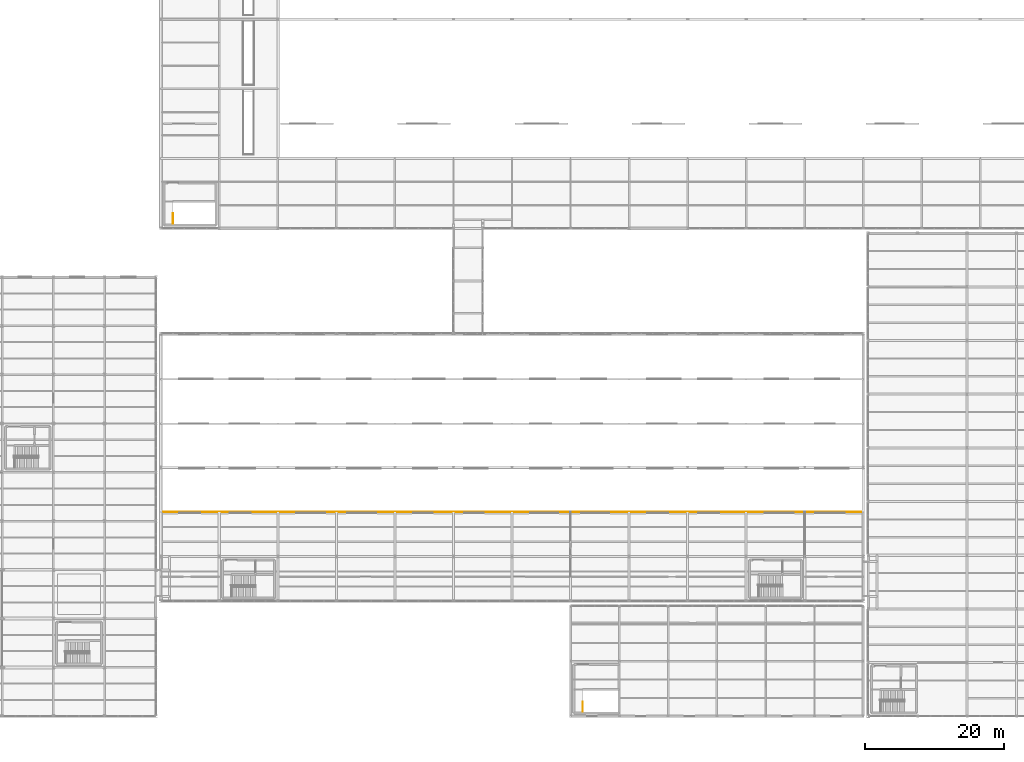
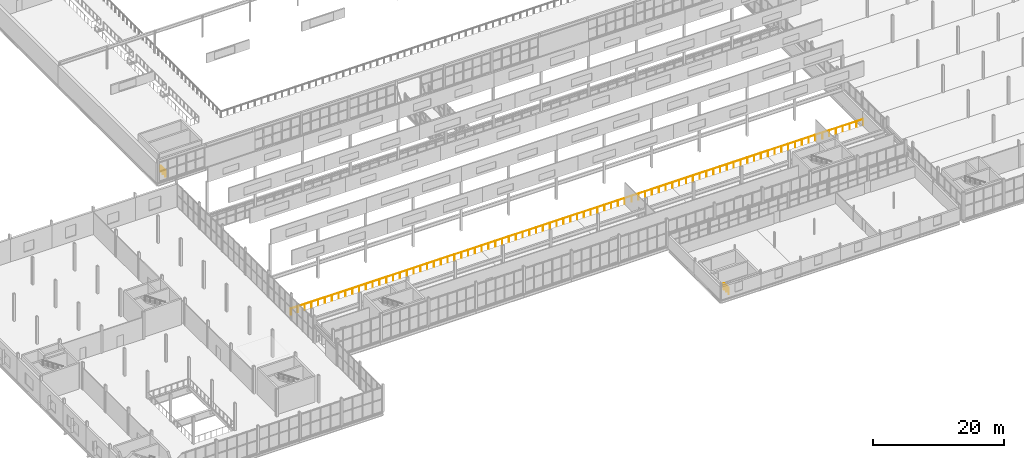
# One storey, part 214 of 218: 3 railings.
"""IFC4 building model written with IfcOpenShell, lengths in metres."""

from ifc_helpers import new_model, si_unit, direction, frame, origin, origin_2d, place, context, subcontext, project, spatial, circle, extrude, material, type_object, element, save


model = new_model("IFC4")

# Units and contexts
model_context = context("Model", 3, precision=1e-05, world=origin(), true_north=direction((0.0, 1.0)))
body_context = subcontext(model_context, "Body", "Model", "MODEL_VIEW")
ifc_project = project(units=[si_unit("LENGTHUNIT", "METRE"), si_unit("AREAUNIT", "SQUARE_METRE"), si_unit("VOLUMEUNIT", "CUBIC_METRE"), si_unit("PLANEANGLEUNIT", "RADIAN"), si_unit("MASSUNIT", "GRAM", prefix="KILO")], contexts=[model_context])

# Site, building, storey
site_placement = place(None, origin())
site = spatial("IfcSite", under=ifc_project, at=site_placement, CompositionType="ELEMENT")
building_placement = place(site_placement, origin())
building = spatial("IfcBuilding", under=site, at=building_placement, Name="Kazenagashi Tramway Depot", CompositionType="ELEMENT")
storey_placement = place(building_placement, frame((0.0, 0.0, 6.0)))
storey = spatial("IfcBuildingStorey", under=building, at=storey_placement, Name="L02", CompositionType="ELEMENT", Elevation=6.0)

# Railings
ifc_material = material(Name="Galvanised Painted Steel Balustrade", Category="steel")
railing_type = type_object("IfcRailingType", Name="GR-01", PredefinedType="GUARDRAIL", material=ifc_material)
railing_1_placement = place(storey_placement, frame((46.56, 70.67, 0.0)))
element("IfcRailing", 1, at=railing_1_placement, inside=storey, type_object=railing_type, Name="Stairwell ST-27 Arrival Guardrail", PredefinedType="GUARDRAIL", context=body_context, shape_type="SweptSolid", body=[
    extrude(circle(Radius=0.024, at=origin_2d()), frame((0.0, 0.0, 1.156), z_axis=(0.0, 1.0, 0.0), x_axis=(-1.0, 0.0, 0.0)), (0.0, 0.0, 1.0), 1.45),
    extrude(circle(Radius=0.021, at=origin_2d()), origin(), (0.0, 0.0, 1.0), 1.132),
    extrude(circle(Radius=0.021, at=origin_2d()), frame((0.0, 0.725, 0.0)), (0.0, 0.0, 1.0), 1.132),
    extrude(circle(Radius=0.021, at=origin_2d()), frame((0.0, 1.45, 0.0)), (0.0, 0.0, 1.0), 1.132),
])
railing_2_placement = place(storey_placement, frame((105.36, 0.67, 0.0)))
element("IfcRailing", 2, at=railing_2_placement, inside=storey, type_object=railing_type, Name="Stairwell ST-28 Arrival Guardrail", PredefinedType="GUARDRAIL", context=body_context, shape_type="SweptSolid", body=[
    extrude(circle(Radius=0.024, at=origin_2d()), frame((0.0, 0.0, 1.156), z_axis=(0.0, 1.0, 0.0), x_axis=(-1.0, 0.0, 0.0)), (0.0, 0.0, 1.0), 1.4),
    extrude(circle(Radius=0.021, at=origin_2d()), origin(), (0.0, 0.0, 1.0), 1.132),
    extrude(circle(Radius=0.021, at=origin_2d()), frame((0.0, 0.7, 0.0)), (0.0, 0.0, 1.0), 1.132),
    extrude(circle(Radius=0.021, at=origin_2d()), frame((0.0, 1.4, 0.0)), (0.0, 0.0, 1.0), 1.132),
])
railing_3_placement = place(storey_placement, frame((44.8, 29.3, 0.0)))
element("IfcRailing", 3, at=railing_3_placement, inside=storey, type_object=railing_type, Name="Overhaul Component Mezzanine Guardrail", PredefinedType="GUARDRAIL", context=body_context, shape_type="SweptSolid", body=[
    extrude(circle(Radius=0.024, at=origin_2d()), frame((0.0, 0.0, 1.126), z_axis=(1.0, 0.0, 0.0), x_axis=(0.0, 1.0, 0.0)), (0.0, 0.0, 1.0), 100.8),
    extrude(circle(Radius=0.021, at=origin_2d()), origin(), (0.0, 0.0, 1.0), 1.102),
    extrude(circle(Radius=0.021, at=origin_2d()), frame((1.2, 0.0, 0.0)), (0.0, 0.0, 1.0), 1.102),
    extrude(circle(Radius=0.021, at=origin_2d()), frame((2.4, 0.0, 0.0)), (0.0, 0.0, 1.0), 1.102),
    extrude(circle(Radius=0.021, at=origin_2d()), frame((3.6, 0.0, 0.0)), (0.0, 0.0, 1.0), 1.102),
    extrude(circle(Radius=0.021, at=origin_2d()), frame((4.8, 0.0, 0.0)), (0.0, 0.0, 1.0), 1.102),
    extrude(circle(Radius=0.021, at=origin_2d()), frame((6.0, 0.0, 0.0)), (0.0, 0.0, 1.0), 1.102),
    extrude(circle(Radius=0.021, at=origin_2d()), frame((7.2, 0.0, 0.0)), (0.0, 0.0, 1.0), 1.102),
    extrude(circle(Radius=0.021, at=origin_2d()), frame((8.4, 0.0, 0.0)), (0.0, 0.0, 1.0), 1.102),
    extrude(circle(Radius=0.021, at=origin_2d()), frame((9.6, 0.0, 0.0)), (0.0, 0.0, 1.0), 1.102),
    extrude(circle(Radius=0.021, at=origin_2d()), frame((10.8, 0.0, 0.0)), (0.0, 0.0, 1.0), 1.102),
    extrude(circle(Radius=0.021, at=origin_2d()), frame((12.0, 0.0, 0.0)), (0.0, 0.0, 1.0), 1.102),
    extrude(circle(Radius=0.021, at=origin_2d()), frame((13.2, 0.0, 0.0)), (0.0, 0.0, 1.0), 1.102),
    extrude(circle(Radius=0.021, at=origin_2d()), frame((14.4, 0.0, 0.0)), (0.0, 0.0, 1.0), 1.102),
    extrude(circle(Radius=0.021, at=origin_2d()), frame((15.6, 0.0, 0.0)), (0.0, 0.0, 1.0), 1.102),
    extrude(circle(Radius=0.021, at=origin_2d()), frame((16.8, 0.0, 0.0)), (0.0, 0.0, 1.0), 1.102),
    extrude(circle(Radius=0.021, at=origin_2d()), frame((18.0, 0.0, 0.0)), (0.0, 0.0, 1.0), 1.102),
    extrude(circle(Radius=0.021, at=origin_2d()), frame((19.2, 0.0, 0.0)), (0.0, 0.0, 1.0), 1.102),
    extrude(circle(Radius=0.021, at=origin_2d()), frame((20.4, 0.0, 0.0)), (0.0, 0.0, 1.0), 1.102),
    extrude(circle(Radius=0.021, at=origin_2d()), frame((21.6, 0.0, 0.0)), (0.0, 0.0, 1.0), 1.102),
    extrude(circle(Radius=0.021, at=origin_2d()), frame((22.8, 0.0, 0.0)), (0.0, 0.0, 1.0), 1.102),
    extrude(circle(Radius=0.021, at=origin_2d()), frame((24.0, 0.0, 0.0)), (0.0, 0.0, 1.0), 1.102),
    extrude(circle(Radius=0.021, at=origin_2d()), frame((25.2, 0.0, 0.0)), (0.0, 0.0, 1.0), 1.102),
    extrude(circle(Radius=0.021, at=origin_2d()), frame((26.4, 0.0, 0.0)), (0.0, 0.0, 1.0), 1.102),
    extrude(circle(Radius=0.021, at=origin_2d()), frame((27.6, 0.0, 0.0)), (0.0, 0.0, 1.0), 1.102),
    extrude(circle(Radius=0.021, at=origin_2d()), frame((28.8, 0.0, 0.0)), (0.0, 0.0, 1.0), 1.102),
    extrude(circle(Radius=0.021, at=origin_2d()), frame((30.0, 0.0, 0.0)), (0.0, 0.0, 1.0), 1.102),
    extrude(circle(Radius=0.021, at=origin_2d()), frame((31.2, 0.0, 0.0)), (0.0, 0.0, 1.0), 1.102),
    extrude(circle(Radius=0.021, at=origin_2d()), frame((32.4, 0.0, 0.0)), (0.0, 0.0, 1.0), 1.102),
    extrude(circle(Radius=0.021, at=origin_2d()), frame((33.6, 0.0, 0.0)), (0.0, 0.0, 1.0), 1.102),
    extrude(circle(Radius=0.021, at=origin_2d()), frame((34.8, 0.0, 0.0)), (0.0, 0.0, 1.0), 1.102),
    extrude(circle(Radius=0.021, at=origin_2d()), frame((36.0, 0.0, 0.0)), (0.0, 0.0, 1.0), 1.102),
    extrude(circle(Radius=0.021, at=origin_2d()), frame((37.2, 0.0, 0.0)), (0.0, 0.0, 1.0), 1.102),
    extrude(circle(Radius=0.021, at=origin_2d()), frame((38.4, 0.0, 0.0)), (0.0, 0.0, 1.0), 1.102),
    extrude(circle(Radius=0.021, at=origin_2d()), frame((39.6, 0.0, 0.0)), (0.0, 0.0, 1.0), 1.102),
    extrude(circle(Radius=0.021, at=origin_2d()), frame((40.8, 0.0, 0.0)), (0.0, 0.0, 1.0), 1.102),
    extrude(circle(Radius=0.021, at=origin_2d()), frame((42.0, 0.0, 0.0)), (0.0, 0.0, 1.0), 1.102),
    extrude(circle(Radius=0.021, at=origin_2d()), frame((43.2, 0.0, 0.0)), (0.0, 0.0, 1.0), 1.102),
    extrude(circle(Radius=0.021, at=origin_2d()), frame((44.4, 0.0, 0.0)), (0.0, 0.0, 1.0), 1.102),
    extrude(circle(Radius=0.021, at=origin_2d()), frame((45.6, 0.0, 0.0)), (0.0, 0.0, 1.0), 1.102),
    extrude(circle(Radius=0.021, at=origin_2d()), frame((46.8, 0.0, 0.0)), (0.0, 0.0, 1.0), 1.102),
    extrude(circle(Radius=0.021, at=origin_2d()), frame((48.0, 0.0, 0.0)), (0.0, 0.0, 1.0), 1.102),
    extrude(circle(Radius=0.021, at=origin_2d()), frame((49.2, 0.0, 0.0)), (0.0, 0.0, 1.0), 1.102),
    extrude(circle(Radius=0.021, at=origin_2d()), frame((50.4, 0.0, 0.0)), (0.0, 0.0, 1.0), 1.102),
    extrude(circle(Radius=0.021, at=origin_2d()), frame((51.6, 0.0, 0.0)), (0.0, 0.0, 1.0), 1.102),
    extrude(circle(Radius=0.021, at=origin_2d()), frame((52.8, 0.0, 0.0)), (0.0, 0.0, 1.0), 1.102),
    extrude(circle(Radius=0.021, at=origin_2d()), frame((54.0, 0.0, 0.0)), (0.0, 0.0, 1.0), 1.102),
    extrude(circle(Radius=0.021, at=origin_2d()), frame((55.2, 0.0, 0.0)), (0.0, 0.0, 1.0), 1.102),
    extrude(circle(Radius=0.021, at=origin_2d()), frame((56.4, 0.0, 0.0)), (0.0, 0.0, 1.0), 1.102),
    extrude(circle(Radius=0.021, at=origin_2d()), frame((57.6, 0.0, 0.0)), (0.0, 0.0, 1.0), 1.102),
    extrude(circle(Radius=0.021, at=origin_2d()), frame((58.8, 0.0, 0.0)), (0.0, 0.0, 1.0), 1.102),
    extrude(circle(Radius=0.021, at=origin_2d()), frame((60.0, 0.0, 0.0)), (0.0, 0.0, 1.0), 1.102),
    extrude(circle(Radius=0.021, at=origin_2d()), frame((61.2, 0.0, 0.0)), (0.0, 0.0, 1.0), 1.102),
    extrude(circle(Radius=0.021, at=origin_2d()), frame((62.4, 0.0, 0.0)), (0.0, 0.0, 1.0), 1.102),
    extrude(circle(Radius=0.021, at=origin_2d()), frame((63.6, 0.0, 0.0)), (0.0, 0.0, 1.0), 1.102),
    extrude(circle(Radius=0.021, at=origin_2d()), frame((64.8, 0.0, 0.0)), (0.0, 0.0, 1.0), 1.102),
    extrude(circle(Radius=0.021, at=origin_2d()), frame((66.0, 0.0, 0.0)), (0.0, 0.0, 1.0), 1.102),
    extrude(circle(Radius=0.021, at=origin_2d()), frame((67.2, 0.0, 0.0)), (0.0, 0.0, 1.0), 1.102),
    extrude(circle(Radius=0.021, at=origin_2d()), frame((68.4, 0.0, 0.0)), (0.0, 0.0, 1.0), 1.102),
    extrude(circle(Radius=0.021, at=origin_2d()), frame((69.6, 0.0, 0.0)), (0.0, 0.0, 1.0), 1.102),
    extrude(circle(Radius=0.021, at=origin_2d()), frame((70.8, 0.0, 0.0)), (0.0, 0.0, 1.0), 1.102),
    extrude(circle(Radius=0.021, at=origin_2d()), frame((72.0, 0.0, 0.0)), (0.0, 0.0, 1.0), 1.102),
    extrude(circle(Radius=0.021, at=origin_2d()), frame((73.2, 0.0, 0.0)), (0.0, 0.0, 1.0), 1.102),
    extrude(circle(Radius=0.021, at=origin_2d()), frame((74.4, 0.0, 0.0)), (0.0, 0.0, 1.0), 1.102),
    extrude(circle(Radius=0.021, at=origin_2d()), frame((75.6, 0.0, 0.0)), (0.0, 0.0, 1.0), 1.102),
    extrude(circle(Radius=0.021, at=origin_2d()), frame((76.8, 0.0, 0.0)), (0.0, 0.0, 1.0), 1.102),
    extrude(circle(Radius=0.021, at=origin_2d()), frame((78.0, 0.0, 0.0)), (0.0, 0.0, 1.0), 1.102),
    extrude(circle(Radius=0.021, at=origin_2d()), frame((79.2, 0.0, 0.0)), (0.0, 0.0, 1.0), 1.102),
    extrude(circle(Radius=0.021, at=origin_2d()), frame((80.4, 0.0, 0.0)), (0.0, 0.0, 1.0), 1.102),
    extrude(circle(Radius=0.021, at=origin_2d()), frame((81.6, 0.0, 0.0)), (0.0, 0.0, 1.0), 1.102),
    extrude(circle(Radius=0.021, at=origin_2d()), frame((82.8, 0.0, 0.0)), (0.0, 0.0, 1.0), 1.102),
    extrude(circle(Radius=0.021, at=origin_2d()), frame((84.0, 0.0, 0.0)), (0.0, 0.0, 1.0), 1.102),
    extrude(circle(Radius=0.021, at=origin_2d()), frame((85.2, 0.0, 0.0)), (0.0, 0.0, 1.0), 1.102),
    extrude(circle(Radius=0.021, at=origin_2d()), frame((86.4, 0.0, 0.0)), (0.0, 0.0, 1.0), 1.102),
    extrude(circle(Radius=0.021, at=origin_2d()), frame((87.6, 0.0, 0.0)), (0.0, 0.0, 1.0), 1.102),
    extrude(circle(Radius=0.021, at=origin_2d()), frame((88.8, 0.0, 0.0)), (0.0, 0.0, 1.0), 1.102),
    extrude(circle(Radius=0.021, at=origin_2d()), frame((90.0, 0.0, 0.0)), (0.0, 0.0, 1.0), 1.102),
    extrude(circle(Radius=0.021, at=origin_2d()), frame((91.2, 0.0, 0.0)), (0.0, 0.0, 1.0), 1.102),
    extrude(circle(Radius=0.021, at=origin_2d()), frame((92.4, 0.0, 0.0)), (0.0, 0.0, 1.0), 1.102),
    extrude(circle(Radius=0.021, at=origin_2d()), frame((93.6, 0.0, 0.0)), (0.0, 0.0, 1.0), 1.102),
    extrude(circle(Radius=0.021, at=origin_2d()), frame((94.8, 0.0, 0.0)), (0.0, 0.0, 1.0), 1.102),
    extrude(circle(Radius=0.021, at=origin_2d()), frame((96.0, 0.0, 0.0)), (0.0, 0.0, 1.0), 1.102),
    extrude(circle(Radius=0.021, at=origin_2d()), frame((97.2, 0.0, 0.0)), (0.0, 0.0, 1.0), 1.102),
    extrude(circle(Radius=0.021, at=origin_2d()), frame((98.4, 0.0, 0.0)), (0.0, 0.0, 1.0), 1.102),
    extrude(circle(Radius=0.021, at=origin_2d()), frame((99.6, 0.0, 0.0)), (0.0, 0.0, 1.0), 1.102),
    extrude(circle(Radius=0.021, at=origin_2d()), frame((100.8, 0.0, 0.0)), (0.0, 0.0, 1.0), 1.102),
])

save(model, "model.ifc")
